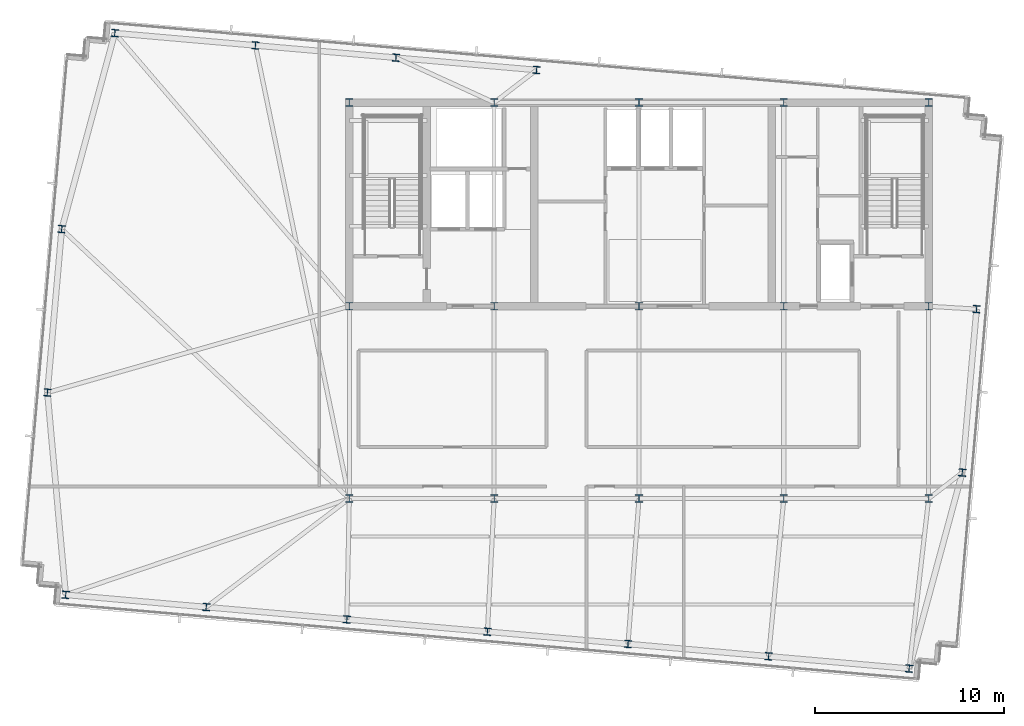
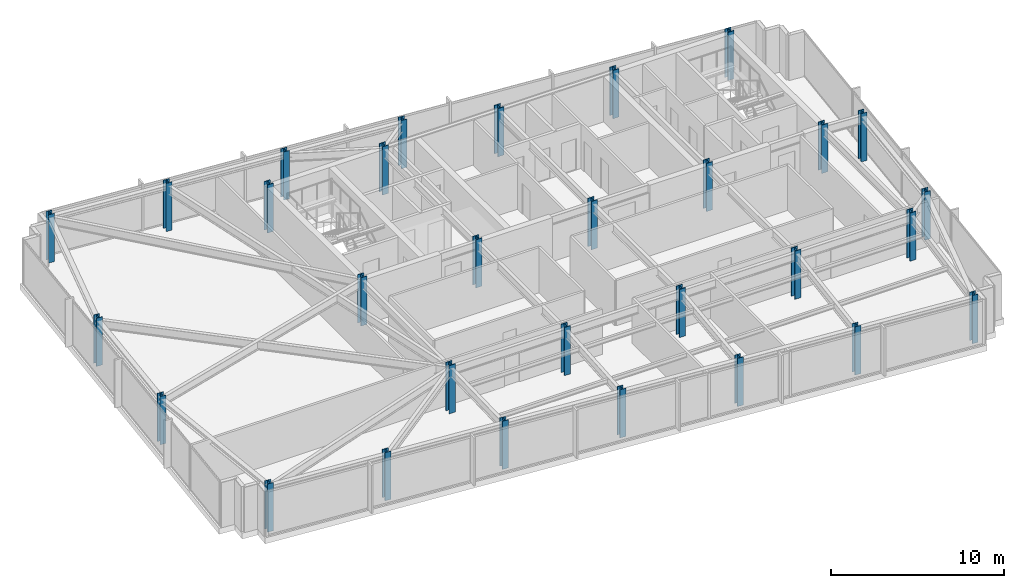
# One storey, part 1 of 32: 30 columns.
"""IFC4 building model written with IfcOpenShell, lengths in metres."""

from ifc_helpers import new_model, si_unit, direction, frame, origin, origin_2d, place, context, subcontext, project, spatial, i_section, extrude, material, material_profile, profile_set, type_object, element, save


model = new_model("IFC4")

# Units and contexts
model_context = context("Model", 3, precision=1e-05, world=origin(), true_north=direction((0.0, 1.0)))
body_context = subcontext(model_context, "Body", "Model", "MODEL_VIEW")
ifc_project = project(units=[si_unit("LENGTHUNIT", "METRE"), si_unit("AREAUNIT", "SQUARE_METRE"), si_unit("VOLUMEUNIT", "CUBIC_METRE"), si_unit("PLANEANGLEUNIT", "RADIAN"), si_unit("MASSUNIT", "GRAM", prefix="KILO")], contexts=[model_context])

# Site, building, storey
site_placement = place(None, origin())
site = spatial("IfcSite", under=ifc_project, at=site_placement, CompositionType="ELEMENT")
building_placement = place(site_placement, origin())
building = spatial("IfcBuilding", under=site, at=building_placement, Name="Yelkora Congress Tower", CompositionType="ELEMENT")
storey_placement = place(building_placement, frame((0.0, 0.0, 259.10009765625)))
storey = spatial("IfcBuildingStorey", under=building, at=storey_placement, Name="L72", CompositionType="ELEMENT", Elevation=259.10009765625)

# Columns
ifc_material_1 = material(Name="Steel S355J2", Category="steel")
ifc_material_profile_1 = material_profile(ifc_material_1, i_section(OverallWidth=0.3779296875, OverallDepth=0.386962890625, WebThickness=0.0205078125, FlangeThickness=0.033203125, FilletRadius=0.014892578125, at=origin_2d()), Name="HD 360x262")
ifc_profile_set_1 = profile_set([ifc_material_profile_1], Name="Steel S355J2")
column_type_1 = type_object("IfcColumnType", Name="COL-HD-262-EXT", PredefinedType="COLUMN", material=ifc_profile_set_1)
for number, where, z_axis, x_axis, name in (
    (1, (7.998046875, 20.097900390625, 0.0), (0.0, 0.0, 1.0), (0.996194698092, -0.087155742748, 0.0), "L72 Perimeter Column S01"),
    (2, (15.452880859375, 19.445556640625, 0.0), (0.0, 0.0, 1.0), (0.996194698092, -0.087155742748, 0.0), "L72 Perimeter Column S02"),
    (3, (22.90771484375, 18.793212890625, 0.0), (0.0, 0.0, 1.0), (0.996194698092, -0.087155742748, 0.0), "L72 Perimeter Column S03"),
    (4, (30.362548828125, 18.14111328125, 0.0), (0.0, 0.0, 1.0), (0.996194698092, -0.087155742748, 0.0), "L72 Perimeter Column S04"),
    (5, (37.8173828125, 17.489013671875, 0.0), (0.0, 0.0, 1.0), (0.996194698092, -0.087155742748, 0.0), "L72 Perimeter Column S05"),
    (6, (45.2724609375, 16.836669921875, 0.0), (0.0, 0.0, 1.0), (0.996194698092, -0.087155742748, 0.0), "L72 Perimeter Column S06"),
    (7, (52.727294921875, 16.1845703125, 0.0), (0.0, 0.0, 1.0), (0.996194698092, -0.087155742748, 0.0), "L72 Perimeter Column S07"),
    (8, (10.60400390625, 49.884033203125, 0.0), (0.0, 0.0, 1.0), (0.996194698092, -0.087155742748, 0.0), "L72 Perimeter Column N01"),
    (9, (18.058837890625, 49.231689453125, 0.0), (0.0, 0.0, 1.0), (0.996194698092, -0.087155742748, 0.0), "L72 Perimeter Column N02"),
    (10, (25.513916015625, 48.57958984375, 0.0), (0.0, 0.0, 1.0), (0.996194698092, -0.087155742748, 0.0), "L72 Perimeter Column N03"),
    (11, (32.968505859375, 47.927490234375, 0.0), (0.0, 0.0, 1.0), (0.996194698092, -0.087155742748, 0.0), "L72 Perimeter Column N04"),
    (12, (7.029052734375, 30.822998046875, 0.0), (0.0, 0.0, 1.0), (0.996194698092, -0.087155742748, 0.0), "L72 Perimeter Column W01"),
    (13, (55.543701171875, 26.57861328125, 0.0), (0.0, 0.0, 1.0), (0.996194698092, -0.087155742748, 0.0), "L72 Perimeter Column E01"),
    (14, (7.787353515625, 39.489990234375, 0.0), (0.0, 0.0, 1.0), (0.996194698092, -0.087155742748, 0.0), "L72 Perimeter Column W02"),
    (15, (56.302001953125, 35.24560546875, 0.0), (0.0, 0.0, 1.0), (0.996194698092, -0.087155742748, 0.0), "L72 Perimeter Column E02"),
):
    element("IfcColumn", number, at=place(storey_placement, frame(where, z_axis=z_axis, x_axis=x_axis)), inside=storey, type_object=column_type_1, Name=name, PredefinedType="COLUMN", context=body_context, shape_type="SweptSolid", body=[
        extrude(i_section(OverallWidth=0.3779296875, OverallDepth=0.386962890625, WebThickness=0.0205078125, FlangeThickness=0.033203125, FilletRadius=0.014892578125, at=origin_2d()), origin(), (0.0, 0.0, 1.0), 3.39990234375),
    ])
ifc_material_2 = material(Name="Steel S460M", Category="steel")
ifc_material_profile_2 = material_profile(ifc_material_2, i_section(OverallWidth=0.406005859375, OverallDepth=0.416015625, WebThickness=0.02978515625, FlangeThickness=0.048095703125, FilletRadius=0.014892578125, at=origin_2d()), Name="HD 400x382")
ifc_profile_set_2 = profile_set([ifc_material_profile_2], Name="Steel S460M")
column_type_2 = type_object("IfcColumnType", Name="COL-HD-382", PredefinedType="COLUMN", material=ifc_profile_set_2)
for number, where, z_axis, x_axis, name in (
    (16, (23.0400390625, 35.39990234375, 0.0), (0.0, 0.0, 1.0), (1.0, 0.0, 0.0), "L72 Mega Column MC-S1"),
    (17, (23.0400390625, 46.199951171875, 0.0), (0.0, 0.0, 1.0), (1.0, 0.0, 0.0), "L72 Mega Column MC-N1"),
    (18, (23.0400390625, 25.199951171875, 0.0), (0.0, 0.0, 1.0), (1.0, 0.0, 0.0), "L72 Mega Column MC-D1"),
    (19, (30.719970703125, 35.39990234375, 0.0), (0.0, 0.0, 1.0), (1.0, 0.0, 0.0), "L72 Mega Column MC-S2"),
    (20, (30.719970703125, 46.199951171875, 0.0), (0.0, 0.0, 1.0), (1.0, 0.0, 0.0), "L72 Mega Column MC-N2"),
    (21, (30.719970703125, 25.199951171875, 0.0), (0.0, 0.0, 1.0), (1.0, 0.0, 0.0), "L72 Mega Column MC-D2"),
    (22, (38.39990234375, 35.39990234375, 0.0), (0.0, 0.0, 1.0), (1.0, 0.0, 0.0), "L72 Mega Column MC-S3"),
    (23, (38.39990234375, 46.199951171875, 0.0), (0.0, 0.0, 1.0), (1.0, 0.0, 0.0), "L72 Mega Column MC-N3"),
    (24, (38.39990234375, 25.199951171875, 0.0), (0.0, 0.0, 1.0), (1.0, 0.0, 0.0), "L72 Mega Column MC-D3"),
    (25, (46.080078125, 35.39990234375, 0.0), (0.0, 0.0, 1.0), (1.0, 0.0, 0.0), "L72 Mega Column MC-S4"),
    (26, (46.080078125, 46.199951171875, 0.0), (0.0, 0.0, 1.0), (1.0, 0.0, 0.0), "L72 Mega Column MC-N4"),
    (27, (46.080078125, 25.199951171875, 0.0), (0.0, 0.0, 1.0), (1.0, 0.0, 0.0), "L72 Mega Column MC-D4"),
    (28, (53.760009765625, 35.39990234375, 0.0), (0.0, 0.0, 1.0), (1.0, 0.0, 0.0), "L72 Mega Column MC-S5"),
    (29, (53.760009765625, 46.199951171875, 0.0), (0.0, 0.0, 1.0), (1.0, 0.0, 0.0), "L72 Mega Column MC-N5"),
    (30, (53.760009765625, 25.199951171875, 0.0), (0.0, 0.0, 1.0), (1.0, 0.0, 0.0), "L72 Mega Column MC-D5"),
):
    element("IfcColumn", number, at=place(storey_placement, frame(where, z_axis=z_axis, x_axis=x_axis)), inside=storey, type_object=column_type_2, Name=name, PredefinedType="COLUMN", context=body_context, shape_type="SweptSolid", body=[
        extrude(i_section(OverallWidth=0.406005859375, OverallDepth=0.416015625, WebThickness=0.02978515625, FlangeThickness=0.048095703125, FilletRadius=0.014892578125, at=origin_2d()), origin(), (0.0, 0.0, 1.0), 3.39990234375),
    ])

save(model, "model.ifc")
